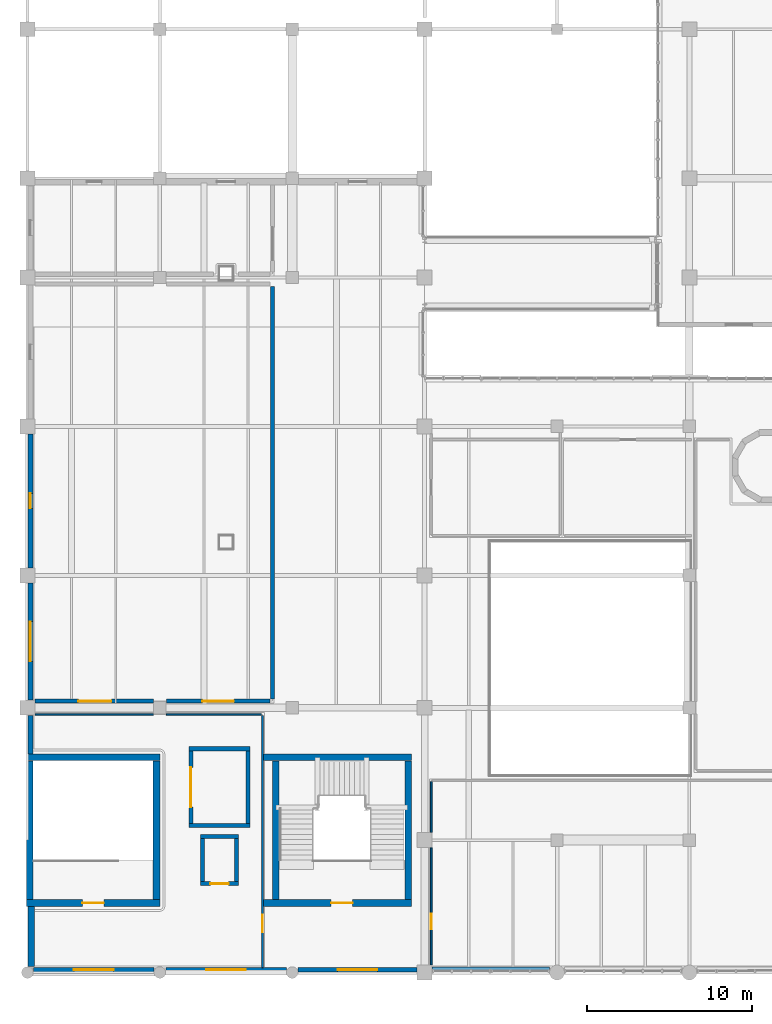
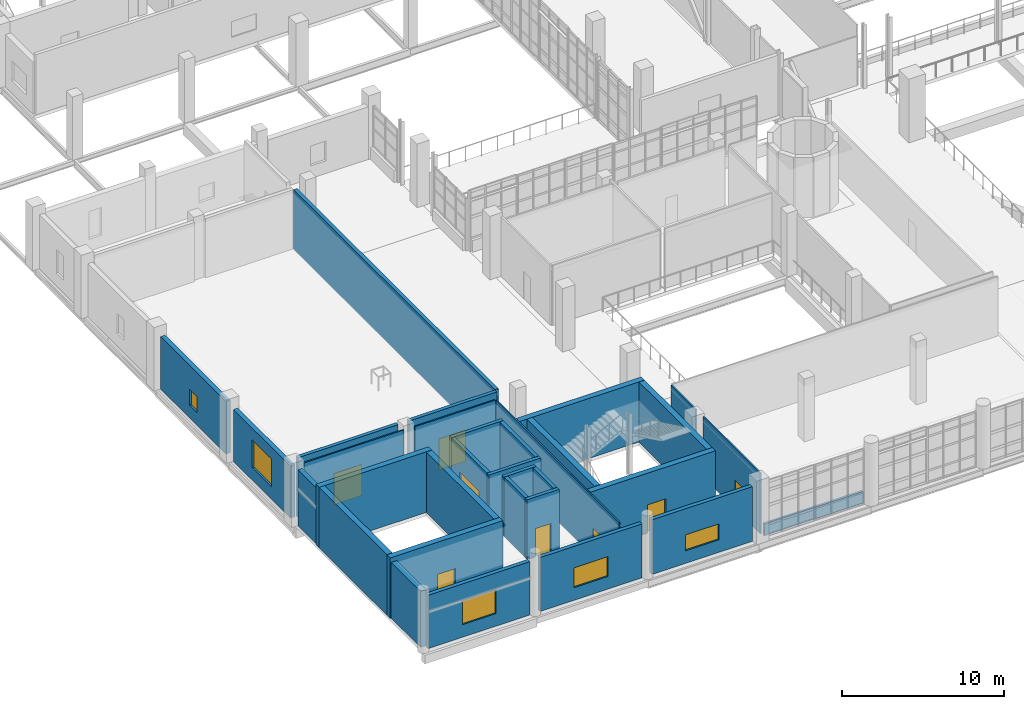
# One storey, part 85 of 100: 32 walls, 8 doors, 5 windows, 13 openings.
"""IFC4 building model written with IfcOpenShell, lengths in metres."""

from ifc_helpers import new_model, si_unit, derived_unit, direction, frame, frame_2d, origin, place, context, subcontext, project, spatial, rectangle, extrude, material, layer, layer_set, type_object, element, fill, save


model = new_model("IFC4")

# Units and contexts
model_context = context("Model", 3, precision=1e-05, world=origin(), true_north=direction((0.0, 1.0)))
body_context = subcontext(model_context, "Body", "Model", "MODEL_VIEW")
ifc_project = project(units=[si_unit("LENGTHUNIT", "METRE"), si_unit("AREAUNIT", "SQUARE_METRE"), si_unit("VOLUMEUNIT", "CUBIC_METRE"), si_unit("PLANEANGLEUNIT", "RADIAN"), si_unit("MASSUNIT", "GRAM", prefix="KILO"), derived_unit("THERMALTRANSMITTANCEUNIT", [(si_unit("POWERUNIT", "WATT"), 1), (si_unit("LENGTHUNIT", "METRE"), -2), (si_unit("THERMODYNAMICTEMPERATUREUNIT", "KELVIN"), -1)])], contexts=[model_context])

# Site, building, storey
site_placement = place(None, origin())
site = spatial("IfcSite", under=ifc_project, at=site_placement, CompositionType="ELEMENT")
building_placement = place(site_placement, origin())
building = spatial("IfcBuilding", under=site, at=building_placement, Name="Nallur Shell Playhouse", CompositionType="ELEMENT")
storey_placement = place(building_placement, frame((0.0, 0.0, 10.199951171875)))
storey = spatial("IfcBuildingStorey", under=building, at=storey_placement, Name="L03", CompositionType="ELEMENT", Elevation=10.199951171875)

# Wall, opening, door
ifc_material_1 = material(Name="Concrete M45", Category="concrete")
ifc_layer_1 = layer(ifc_material_1, 0.39990234375)
ifc_layer_set_1 = layer_set([ifc_layer_1], Name="Concrete M45")
wall_type_1 = type_object("IfcWallType", Name="WL-CORE-400", PredefinedType="SHEAR", material=ifc_layer_set_1)
wall_1_placement = place(storey_placement, frame((30.25390625, 12.199951171875, 0.0), z_axis=(0.0, 0.0, 1.0), x_axis=(1.0, 0.0, 0.0)))
wall_1 = element("IfcWall", 1, at=wall_1_placement, inside=storey, type_object=wall_type_1, Name="Joint Core JC-1 shear wall S (L03)", PredefinedType="SHEAR", context=body_context, shape_type="SweptSolid", body=[
    extrude(rectangle(XDim=8.946044921875, YDim=0.39990234375, at=frame_2d((4.47314453125, 0.0))), origin(), (0.0, 0.0, 1.0), 4.5400390625),
])
opening_1_placement = place(wall_1_placement, frame((4.095947265625, 0.0, 0.0)))
opening_1 = element("IfcOpeningElement", 2, at=opening_1_placement, cuts=wall_1, Name="Opening FD-ST2", PredefinedType="OPENING", context=body_context, shape_type="SweptSolid", body=[
    extrude(rectangle(XDim=1.300048828125, YDim=2.14990234375, at=frame_2d((0.64990234375, 1.074951171875))), frame((0.0, 0.2099609375, 0.0), z_axis=(0.0, -1.0, 0.0), x_axis=(1.0, 0.0, 0.0)), (0.0, 0.0, 1.0), 0.419921875),
])
ifc_material_2 = material(Name="Galvanised Steel Fire-Rated Stair Door", Category="steel")
door_type_1 = type_object("IfcDoorType", Name="DR-INT-STAIR-R", OperationType="SINGLE_SWING_RIGHT", PredefinedType="DOOR", material=ifc_material_2)
door_1_placement = place(opening_1_placement, origin())
door_1 = element("IfcDoor", 3, at=door_1_placement, inside=storey, type_object=door_type_1, Name="Exit stair ST-01 fire door (L03)", OperationType="SINGLE_SWING_RIGHT", OverallHeight=2.14990234375, OverallWidth=1.300048828125, PredefinedType="DOOR", context=body_context, shape_type="SweptSolid", body=[
    extrude(rectangle(XDim=1.300048828125, YDim=2.14990234375, at=frame_2d((0.64990234375, 1.074951171875))), frame((0.0, 0.02490234375, 0.0), z_axis=(0.0, -1.0, 0.0), x_axis=(1.0, 0.0, 0.0)), (0.0, 0.0, 1.0), 0.050048828125),
])
fill(opening_1, door_1)

# Walls
wall_2_placement = place(storey_placement, frame((39.199951171875, 21.0, 0.0), z_axis=(0.0, 0.0, 1.0), x_axis=(-1.0, 0.0, 0.0)))
element("IfcWall", 4, at=wall_2_placement, inside=storey, type_object=wall_type_1, Name="Joint Core JC-1 shear wall N (L03)", PredefinedType="SHEAR", context=body_context, shape_type="SweptSolid", body=[
    extrude(rectangle(XDim=8.946044921875, YDim=0.39990234375, at=frame_2d((4.47314453125, 0.0))), origin(), (0.0, 0.0, 1.0), 4.5400390625),
])
for number, where, z_axis, x_axis, name in (
    (5, (39.0, 12.409912109375, 0.0), (0.0, 0.0, 1.0), (0.0, 1.0, 0.0), "Joint Core JC-1 shear wall E (L03)"),
    (6, (31.0, 20.7900390625, 0.0), (0.0, 0.0, 1.0), (0.0, -1.0, 0.0), "Joint Core JC-1 shear wall W (L03)"),
):
    element("IfcWall", number, at=place(storey_placement, frame(where, z_axis=z_axis, x_axis=x_axis)), inside=storey, type_object=wall_type_1, Name=name, PredefinedType="SHEAR", context=body_context, shape_type="SweptSolid", body=[
        extrude(rectangle(XDim=8.380126953125, YDim=0.39990234375, at=frame_2d((4.18994140625, 0.0))), origin(), (0.0, 0.0, 1.0), 4.5400390625),
    ])

# Wall, opening, door
wall_3_placement = place(storey_placement, frame((15.949951171875, 12.199951171875, 0.0), z_axis=(0.0, 0.0, 1.0), x_axis=(1.0, 0.0, 0.0)))
wall_3 = element("IfcWall", 7, at=wall_3_placement, inside=storey, type_object=wall_type_1, Name="Joint Core JC-7 shear wall S (L03)", PredefinedType="SHEAR", context=body_context, shape_type="SweptSolid", body=[
    extrude(rectangle(XDim=8.050048828125, YDim=0.39990234375, at=frame_2d((4.02490234375, 0.0))), origin(), (0.0, 0.0, 1.0), 4.580078125),
])
opening_2_placement = place(wall_3_placement, frame((3.375, 0.0, 0.0)))
opening_2 = element("IfcOpeningElement", 8, at=opening_2_placement, cuts=wall_3, Name="Opening FD-ST1", PredefinedType="OPENING", context=body_context, shape_type="SweptSolid", body=[
    extrude(rectangle(XDim=1.300048828125, YDim=2.14990234375, at=frame_2d((0.64990234375, 1.074951171875))), frame((0.0, 0.2099609375, 0.0), z_axis=(0.0, -1.0, 0.0), x_axis=(1.0, 0.0, 0.0)), (0.0, 0.0, 1.0), 0.419921875),
])
door_type_2 = type_object("IfcDoorType", Name="DR-INT-STAIR-L", OperationType="SINGLE_SWING_LEFT", PredefinedType="DOOR", material=ifc_material_2)
door_2_placement = place(opening_2_placement, origin())
door_2 = element("IfcDoor", 9, at=door_2_placement, inside=storey, type_object=door_type_2, Name="Exit stair ST-07 fire door (L03)", OperationType="SINGLE_SWING_LEFT", OverallHeight=2.14990234375, OverallWidth=1.300048828125, PredefinedType="DOOR", context=body_context, shape_type="SweptSolid", body=[
    extrude(rectangle(XDim=1.300048828125, YDim=2.14990234375, at=frame_2d((0.64990234375, 1.074951171875))), frame((0.0, 0.02490234375, 0.0), z_axis=(0.0, -1.0, 0.0), x_axis=(1.0, 0.0, 0.0)), (0.0, 0.0, 1.0), 0.050048828125),
])
fill(opening_2, door_2)

# Walls
wall_4_placement = place(storey_placement, frame((24.0, 21.0, 0.0), z_axis=(0.0, 0.0, 1.0), x_axis=(-1.0, 0.0, 0.0)))
element("IfcWall", 10, at=wall_4_placement, inside=storey, type_object=wall_type_1, Name="Joint Core JC-7 shear wall N (L03)", PredefinedType="SHEAR", context=body_context, shape_type="SweptSolid", body=[
    extrude(rectangle(XDim=8.050048828125, YDim=0.39990234375, at=frame_2d((4.02490234375, 0.0))), origin(), (0.0, 0.0, 1.0), 4.580078125),
])
for number, where, z_axis, x_axis, name in (
    (11, (23.800048828125, 12.409912109375, 0.0), (0.0, 0.0, 1.0), (0.0, 1.0, 0.0), "Joint Core JC-7 shear wall E (L03)"),
    (12, (16.14990234375, 20.7900390625, 0.0), (0.0, 0.0, 1.0), (0.0, -1.0, 0.0), "Joint Core JC-7 shear wall W (L03)"),
):
    element("IfcWall", number, at=place(storey_placement, frame(where, z_axis=z_axis, x_axis=x_axis)), inside=storey, type_object=wall_type_1, Name=name, PredefinedType="SHEAR", context=body_context, shape_type="SweptSolid", body=[
        extrude(rectangle(XDim=8.380126953125, YDim=0.39990234375, at=frame_2d((4.18994140625, 0.0))), origin(), (0.0, 0.0, 1.0), 4.580078125),
    ])

# Wall, opening, window
ifc_material_3 = material(Name="Concrete M30", Category="concrete")
ifc_layer_2 = layer(ifc_material_3, 0.280029296875)
ifc_layer_set_2 = layer_set([ifc_layer_2], Name="Concrete M30")
wall_type_2 = type_object("IfcWallType", Name="WL-EXT-INS280", PredefinedType="STANDARD", material=ifc_layer_set_2)
wall_5_placement = place(storey_placement, frame((39.5419921875, 8.159912109375, 0.0), z_axis=(0.0, 0.0, 1.0), x_axis=(-1.0, 0.0, 0.0)))
wall_5 = element("IfcWall", 13, at=wall_5_placement, inside=storey, type_object=wall_type_2, Name="L03 exterior wall EW-L03-157", PredefinedType="STANDARD", context=body_context, shape_type="SweptSolid", body=[
    extrude(rectangle(XDim=7.18408203125, YDim=0.280029296875, at=frame_2d((3.592041015625, 0.0))), origin(), (0.0, 0.0, 1.0), 4.125),
])
opening_3_placement = place(wall_5_placement, frame((2.39208984375, 0.0, 0.949951171875)))
opening_3 = element("IfcOpeningElement", 14, at=opening_3_placement, cuts=wall_5, Name="Opening WN-29", PredefinedType="OPENING", context=body_context, shape_type="SweptSolid", body=[
    extrude(rectangle(XDim=2.39990234375, YDim=1.199951171875, at=frame_2d((1.199951171875, 0.60009765625))), frame((0.0, 0.14990234375, 0.0), z_axis=(0.0, -1.0, 0.0), x_axis=(1.0, 0.0, 0.0)), (0.0, 0.0, 1.0), 0.300048828125),
])
ifc_material_4 = material(Name="Thermally Broken Aluminium Acoustic Double-Glazed Window", Category="aluminium")
window_type_1 = type_object("IfcWindowType", Name="WN-TYPE-29", PartitioningType="SINGLE_PANEL", PredefinedType="SKYLIGHT", material=ifc_material_4)
window_1_placement = place(opening_3_placement, origin())
window_1 = element("IfcWindow", 15, at=window_1_placement, inside=storey, type_object=window_type_1, Name="L03 facade module window 061", OverallHeight=1.199951171875, OverallWidth=2.39990234375, PartitioningType="SINGLE_PANEL", PredefinedType="SKYLIGHT", context=body_context, shape_type="SweptSolid", body=[
    extrude(rectangle(XDim=2.39990234375, YDim=1.199951171875, at=frame_2d((1.199951171875, 0.60009765625))), frame((0.0, 0.030029296875, 0.0), z_axis=(0.0, -1.0, 0.0), x_axis=(1.0, 0.0, 0.0)), (0.0, 0.0, 1.0), 0.06005859375),
])
fill(opening_3, window_1)

wall_6_placement = place(storey_placement, frame((31.64208984375, 8.159912109375, 0.0), z_axis=(0.0, 0.0, 1.0), x_axis=(-1.0, 0.0, 0.0)))
wall_6 = element("IfcWall", 16, at=wall_6_placement, inside=storey, type_object=wall_type_2, Name="L03 exterior wall EW-L03-158", PredefinedType="STANDARD", context=body_context, shape_type="SweptSolid", body=[
    extrude(rectangle(XDim=7.2841796875, YDim=0.280029296875, at=frame_2d((3.64208984375, 0.0))), origin(), (0.0, 0.0, 1.0), 4.074951171875),
])
opening_4_placement = place(wall_6_placement, frame((2.44189453125, 0.0, 0.949951171875)))
opening_4 = element("IfcOpeningElement", 17, at=opening_4_placement, cuts=wall_6, Name="Opening WN-30", PredefinedType="OPENING", context=body_context, shape_type="SweptSolid", body=[
    extrude(rectangle(XDim=2.39990234375, YDim=1.5, at=frame_2d((1.199951171875, 0.75))), frame((0.0, 0.14990234375, 0.0), z_axis=(0.0, -1.0, 0.0), x_axis=(1.0, 0.0, 0.0)), (0.0, 0.0, 1.0), 0.300048828125),
])
window_type_2 = type_object("IfcWindowType", Name="WN-TYPE-30", PartitioningType="SINGLE_PANEL", PredefinedType="SKYLIGHT", material=ifc_material_4)
window_2_placement = place(opening_4_placement, origin())
window_2 = element("IfcWindow", 18, at=window_2_placement, inside=storey, type_object=window_type_2, Name="L03 facade module window 062", OverallHeight=1.5, OverallWidth=2.39990234375, PartitioningType="SINGLE_PANEL", PredefinedType="SKYLIGHT", context=body_context, shape_type="SweptSolid", body=[
    extrude(rectangle(XDim=2.39990234375, YDim=1.5, at=frame_2d((1.199951171875, 0.75))), frame((0.0, 0.030029296875, 0.0), z_axis=(0.0, -1.0, 0.0), x_axis=(1.0, 0.0, 0.0)), (0.0, 0.0, 1.0), 0.06005859375),
])
fill(opening_4, window_2)

wall_7_placement = place(storey_placement, frame((23.64208984375, 8.159912109375, 0.0), z_axis=(0.0, 0.0, 1.0), x_axis=(-1.0, 0.0, 0.0)))
wall_7 = element("IfcWall", 19, at=wall_7_placement, inside=storey, type_object=wall_type_2, Name="L03 exterior wall EW-L03-159", PredefinedType="STANDARD", context=body_context, shape_type="SweptSolid", body=[
    extrude(rectangle(XDim=7.2841796875, YDim=0.280029296875, at=frame_2d((3.64208984375, 0.0))), origin(), (0.0, 0.0, 1.0), 4.025146484375),
])
opening_5_placement = place(wall_7_placement, frame((2.44189453125, 0.0, 0.949951171875)))
opening_5 = element("IfcOpeningElement", 20, at=opening_5_placement, cuts=wall_7, Name="Opening WN-31", PredefinedType="OPENING", context=body_context, shape_type="SweptSolid", body=[
    extrude(rectangle(XDim=2.39990234375, YDim=1.800048828125, at=frame_2d((1.199951171875, 0.89990234375))), frame((0.0, 0.14990234375, 0.0), z_axis=(0.0, -1.0, 0.0), x_axis=(1.0, 0.0, 0.0)), (0.0, 0.0, 1.0), 0.300048828125),
])
window_type_3 = type_object("IfcWindowType", Name="WN-TYPE-31", PartitioningType="SINGLE_PANEL", PredefinedType="SKYLIGHT", material=ifc_material_4)
window_3_placement = place(opening_5_placement, origin())
window_3 = element("IfcWindow", 21, at=window_3_placement, inside=storey, type_object=window_type_3, Name="L03 facade module window 063", OverallHeight=1.800048828125, OverallWidth=2.39990234375, PartitioningType="SINGLE_PANEL", PredefinedType="SKYLIGHT", context=body_context, shape_type="SweptSolid", body=[
    extrude(rectangle(XDim=2.39990234375, YDim=1.800048828125, at=frame_2d((1.199951171875, 0.89990234375))), frame((0.0, 0.030029296875, 0.0), z_axis=(0.0, -1.0, 0.0), x_axis=(1.0, 0.0, 0.0)), (0.0, 0.0, 1.0), 0.06005859375),
])
fill(opening_5, window_3)

# Wall
ifc_material_5 = material(Name="Concrete M35", Category="concrete")
ifc_layer_3 = layer(ifc_material_5, 0.320068359375)
ifc_layer_set_3 = layer_set([ifc_layer_3], Name="Concrete M35")
wall_type_3 = type_object("IfcWallType", Name="WL-EXT-RC320", PredefinedType="STANDARD", material=ifc_layer_set_3)
wall_8_placement = place(storey_placement, frame((16.179931640625, 21.2041015625, 0.0), z_axis=(0.0, 0.0, 1.0), x_axis=(0.0, 1.0, 0.0)))
element("IfcWall", 22, at=wall_8_placement, inside=storey, type_object=wall_type_3, Name="L03 exterior wall EW-L03-161", PredefinedType="STANDARD", context=body_context, shape_type="SweptSolid", body=[
    extrude(rectangle(XDim=2.337890625, YDim=0.320068359375, at=frame_2d((1.1689453125, 0.0))), origin(), (0.0, 0.0, 1.0), 4.22509765625),
])

# Wall, opening, window
wall_9_placement = place(storey_placement, frame((16.179931640625, 24.4580078125, 0.0), z_axis=(0.0, 0.0, 1.0), x_axis=(0.0, 1.0, 0.0)))
wall_9 = element("IfcWall", 23, at=wall_9_placement, inside=storey, type_object=wall_type_3, Name="L03 exterior wall EW-L03-162", PredefinedType="STANDARD", context=body_context, shape_type="SweptSolid", body=[
    extrude(rectangle(XDim=7.083984375, YDim=0.320068359375, at=frame_2d((3.5419921875, 0.0))), origin(), (0.0, 0.0, 1.0), 3.925048828125),
])
opening_6_placement = place(wall_9_placement, frame((2.342041015625, 0.0, 0.949951171875)))
opening_6 = element("IfcOpeningElement", 24, at=opening_6_placement, cuts=wall_9, Name="Opening WN-32", PredefinedType="OPENING", context=body_context, shape_type="SweptSolid", body=[
    extrude(rectangle(XDim=2.39990234375, YDim=2.10009765625, at=frame_2d((1.199951171875, 1.050048828125))), frame((0.0, 0.169921875, 0.0), z_axis=(0.0, -1.0, 0.0), x_axis=(1.0, 0.0, 0.0)), (0.0, 0.0, 1.0), 0.340087890625),
])
window_type_4 = type_object("IfcWindowType", Name="WN-TYPE-32", PartitioningType="SINGLE_PANEL", PredefinedType="SKYLIGHT", material=ifc_material_4)
window_4_placement = place(opening_6_placement, origin())
window_4 = element("IfcWindow", 25, at=window_4_placement, inside=storey, type_object=window_type_4, Name="L03 facade module window 064", OverallHeight=2.10009765625, OverallWidth=2.39990234375, PartitioningType="SINGLE_PANEL", PredefinedType="SKYLIGHT", context=body_context, shape_type="SweptSolid", body=[
    extrude(rectangle(XDim=2.39990234375, YDim=2.10009765625, at=frame_2d((1.199951171875, 1.050048828125))), frame((0.0, 0.030029296875, 0.0), z_axis=(0.0, -1.0, 0.0), x_axis=(1.0, 0.0, 0.0)), (0.0, 0.0, 1.0), 0.06005859375),
])
fill(opening_6, window_4)

wall_10_placement = place(storey_placement, frame((16.179931640625, 32.4580078125, 0.0), z_axis=(0.0, 0.0, 1.0), x_axis=(0.0, 1.0, 0.0)))
wall_10 = element("IfcWall", 26, at=wall_10_placement, inside=storey, type_object=wall_type_3, Name="L03 exterior wall EW-L03-163", PredefinedType="STANDARD", context=body_context, shape_type="SweptSolid", body=[
    extrude(rectangle(XDim=8.083984375, YDim=0.320068359375, at=frame_2d((4.0419921875, 0.0))), origin(), (0.0, 0.0, 1.0), 3.97509765625),
])
opening_7_placement = place(wall_10_placement, frame((3.592041015625, 0.0, 0.949951171875)))
opening_7 = element("IfcOpeningElement", 27, at=opening_7_placement, cuts=wall_10, Name="Opening WN-01", PredefinedType="OPENING", context=body_context, shape_type="SweptSolid", body=[
    extrude(rectangle(XDim=0.89990234375, YDim=1.199951171875, at=frame_2d((0.449951171875, 0.60009765625))), frame((0.0, 0.169921875, 0.0), z_axis=(0.0, -1.0, 0.0), x_axis=(1.0, 0.0, 0.0)), (0.0, 0.0, 1.0), 0.340087890625),
])
window_type_5 = type_object("IfcWindowType", Name="WN-TYPE-01", PartitioningType="SINGLE_PANEL", PredefinedType="WINDOW", material=ifc_material_4)
window_5_placement = place(opening_7_placement, origin())
window_5 = element("IfcWindow", 28, at=window_5_placement, inside=storey, type_object=window_type_5, Name="L03 facade module window 065", OverallHeight=1.199951171875, OverallWidth=0.89990234375, PartitioningType="SINGLE_PANEL", PredefinedType="WINDOW", context=body_context, shape_type="SweptSolid", body=[
    extrude(rectangle(XDim=0.89990234375, YDim=1.199951171875, at=frame_2d((0.449951171875, 0.60009765625))), frame((0.0, 0.030029296875, 0.0), z_axis=(0.0, -1.0, 0.0), x_axis=(1.0, 0.0, 0.0)), (0.0, 0.0, 1.0), 0.06005859375),
])
fill(opening_7, window_5)

# Walls
ifc_material_6 = material(Name="Concrete M40", Category="concrete")
ifc_layer_4 = layer(ifc_material_6, 0.39990234375)
ifc_layer_set_4 = layer_set([ifc_layer_4], Name="Concrete M40")
wall_type_4 = type_object("IfcWallType", Name="WL-EXT-RC400", PredefinedType="STANDARD", material=ifc_layer_set_4)
wall_11_placement = place(storey_placement, frame((16.219970703125, 8.35791015625, 0.0), z_axis=(0.0, 0.0, 1.0), x_axis=(0.0, 1.0, 0.0)))
element("IfcWall", 29, at=wall_11_placement, inside=storey, type_object=wall_type_4, Name="L03 exterior wall EW-L03-160", PredefinedType="STANDARD", context=body_context, shape_type="SweptSolid", body=[
    extrude(rectangle(XDim=3.63818359375, YDim=0.39990234375, at=frame_2d((1.819091796875, 0.0))), origin(), (0.0, 0.0, 1.0), 4.22509765625),
])
ifc_layer_5 = layer(ifc_material_5, 0.179931640625)
ifc_layer_set_5 = layer_set([ifc_layer_5], Name="Concrete M35")
wall_type_5 = type_object("IfcWallType", Name="WL-PARAPET-180", PredefinedType="PARAPET", material=ifc_layer_set_5)
wall_12_placement = place(storey_placement, frame((47.5400390625, 8.239990234375, 0.0), z_axis=(0.0, 0.0, 1.0), x_axis=(-1.0, 0.0, 0.0)))
element("IfcWall", 30, at=wall_12_placement, inside=storey, type_object=wall_type_5, Name="L03 curtain-wall internal spandrel upstand 042", PredefinedType="PARAPET", context=body_context, shape_type="SweptSolid", body=[
    extrude(rectangle(XDim=7.080078125, YDim=0.179931640625, at=frame_2d((3.5400390625, 0.0))), origin(), (0.0, 0.0, 1.0), 0.880126953125),
])
ifc_layer_6 = layer(ifc_material_3, 0.25)
ifc_layer_set_6 = layer_set([ifc_layer_6], Name="Concrete M30")
wall_type_6 = type_object("IfcWallType", Name="WL-PART-AC250", PredefinedType="PARTITIONING", material=ifc_layer_set_6)
wall_13_placement = place(storey_placement, frame((30.800048828125, 49.455078125, 0.0), z_axis=(0.0, 0.0, 1.0), x_axis=(0.0, -1.0, 0.0)))
element("IfcWall", 31, at=wall_13_placement, inside=storey, type_object=wall_type_6, Name="200-Seat Flexible Black-Box Experimental Theatre partition IW-L03-0218", PredefinedType="PARTITIONING", context=body_context, shape_type="SweptSolid", body=[
    extrude(rectangle(XDim=24.91015625, YDim=0.25, at=frame_2d((12.455078125, 0.0))), origin(), (0.0, 0.0, 1.0), 4.530029296875),
])

# Wall, opening, door
wall_14_placement = place(storey_placement, frame((30.655029296875, 24.39990234375, 0.0), z_axis=(0.0, 0.0, 1.0), x_axis=(-1.0, 0.0, 0.0)))
wall_14 = element("IfcWall", 32, at=wall_14_placement, inside=storey, type_object=wall_type_6, Name="200-Seat Flexible Black-Box Experimental Theatre partition IW-L03-0219", PredefinedType="PARTITIONING", context=body_context, shape_type="SweptSolid", body=[
    extrude(rectangle(XDim=6.26513671875, YDim=0.25, at=frame_2d((3.132568359375, 0.0))), origin(), (0.0, 0.0, 1.0), 4.530029296875),
])
opening_8_placement = place(wall_14_placement, frame((2.18310546875, 0.0, 0.0)))
opening_8 = element("IfcOpeningElement", 33, at=opening_8_placement, cuts=wall_14, Name="Opening AD-02", PredefinedType="OPENING", context=body_context, shape_type="SweptSolid", body=[
    extrude(rectangle(XDim=1.89990234375, YDim=2.35009765625, at=frame_2d((0.949951171875, 1.175048828125))), frame((0.0, 0.135009765625, 0.0), z_axis=(0.0, -1.0, 0.0), x_axis=(1.0, 0.0, 0.0)), (0.0, 0.0, 1.0), 0.27001953125),
])
ifc_material_7 = material(Name="Acoustic Timber Sound-Lock Double Door", Category="wood")
door_type_3 = type_object("IfcDoorType", Name="DR-INT-AUD-DBR", OperationType="DOUBLE_SWING_RIGHT", PredefinedType="DOOR", material=ifc_material_7)
door_3_placement = place(opening_8_placement, origin())
door_3 = element("IfcDoor", 34, at=door_3_placement, inside=storey, type_object=door_type_3, Name="200-Seat Flexible Black-Box Experimental Theatre door 2", OperationType="DOUBLE_SWING_RIGHT", OverallHeight=2.35009765625, OverallWidth=1.89990234375, PredefinedType="DOOR", context=body_context, shape_type="SweptSolid", body=[
    extrude(rectangle(XDim=1.89990234375, YDim=2.35009765625, at=frame_2d((0.949951171875, 1.175048828125))), frame((0.0, 0.02490234375, 0.0), z_axis=(0.0, -1.0, 0.0), x_axis=(1.0, 0.0, 0.0)), (0.0, 0.0, 1.0), 0.050048828125),
])
fill(opening_8, door_3)

wall_15_placement = place(storey_placement, frame((23.610107421875, 24.39990234375, 0.0), z_axis=(0.0, 0.0, 1.0), x_axis=(-1.0, 0.0, 0.0)))
wall_15 = element("IfcWall", 35, at=wall_15_placement, inside=storey, type_object=wall_type_6, Name="200-Seat Flexible Black-Box Experimental Theatre partition IW-L03-0220", PredefinedType="PARTITIONING", context=body_context, shape_type="SweptSolid", body=[
    extrude(rectangle(XDim=7.156005859375, YDim=0.25, at=frame_2d((3.578125, 0.0))), origin(), (0.0, 0.0, 1.0), 4.530029296875),
])
opening_9_placement = place(wall_15_placement, frame((2.531982421875, 0.0, 0.0)))
opening_9 = element("IfcOpeningElement", 36, at=opening_9_placement, cuts=wall_15, Name="Opening AD-01", PredefinedType="OPENING", context=body_context, shape_type="SweptSolid", body=[
    extrude(rectangle(XDim=2.0, YDim=2.35009765625, at=frame_2d((1.0, 1.175048828125))), frame((0.0, 0.135009765625, 0.0), z_axis=(0.0, -1.0, 0.0), x_axis=(1.0, 0.0, 0.0)), (0.0, 0.0, 1.0), 0.27001953125),
])
door_type_4 = type_object("IfcDoorType", Name="DR-INT-AUD-DBL", OperationType="DOUBLE_SWING_LEFT", PredefinedType="DOOR", material=ifc_material_7)
door_4_placement = place(opening_9_placement, origin())
door_4 = element("IfcDoor", 37, at=door_4_placement, inside=storey, type_object=door_type_4, Name="200-Seat Flexible Black-Box Experimental Theatre door 1", OperationType="DOUBLE_SWING_LEFT", OverallHeight=2.35009765625, OverallWidth=2.0, PredefinedType="DOOR", context=body_context, shape_type="SweptSolid", body=[
    extrude(rectangle(XDim=2.0, YDim=2.35009765625, at=frame_2d((1.0, 1.175048828125))), frame((0.0, 0.02490234375, 0.0), z_axis=(0.0, -1.0, 0.0), x_axis=(1.0, 0.0, 0.0)), (0.0, 0.0, 1.0), 0.050048828125),
])
fill(opening_9, door_4)

ifc_material_8 = material(Name="Double-Layer Fire-Rated Gypsum Stud Partition")
ifc_layer_7 = layer(ifc_material_8, 0.10009765625)
ifc_layer_set_7 = layer_set([ifc_layer_7], Name="Double-Layer Fire-Rated Gypsum Stud Partition")
wall_type_7 = type_object("IfcWallType", Name="WL-PART-DRY100", PredefinedType="PARTITIONING", material=ifc_layer_set_7)
wall_16_placement = place(storey_placement, frame((40.39990234375, 8.469970703125, 0.0), z_axis=(0.0, 0.0, 1.0), x_axis=(0.0, 1.0, 0.0)))
wall_16 = element("IfcWall", 38, at=wall_16_placement, inside=storey, type_object=wall_type_7, Name="Monsoon Atrium Dress Circle Gallery partition IW-L03-0232", PredefinedType="PARTITIONING", context=body_context, shape_type="SweptSolid", body=[
    extrude(rectangle(XDim=7.06494140625, YDim=0.10009765625, at=frame_2d((3.532470703125, 0.0))), origin(), (0.0, 0.0, 1.0), 4.570068359375),
])
opening_10_placement = place(wall_16_placement, frame((2.139892578125, 0.0, 0.0)))
opening_10 = element("IfcOpeningElement", 39, at=opening_10_placement, cuts=wall_16, Name="Opening ID-03", PredefinedType="OPENING", context=body_context, shape_type="SweptSolid", body=[
    extrude(rectangle(XDim=0.949951171875, YDim=2.14990234375, at=frame_2d((0.47509765625, 1.074951171875))), frame((0.0, 0.06005859375, 0.0), z_axis=(0.0, -1.0, 0.0), x_axis=(1.0, 0.0, 0.0)), (0.0, 0.0, 1.0), 0.1201171875),
])
ifc_material_9 = material(Name="Solid-Core Engineered Timber Door", Category="wood")
door_type_5 = type_object("IfcDoorType", Name="DR-INT-SGL950L", OperationType="SINGLE_SWING_LEFT", PredefinedType="DOOR", material=ifc_material_9)
door_5_placement = place(opening_10_placement, origin())
door_5 = element("IfcDoor", 40, at=door_5_placement, inside=storey, type_object=door_type_5, Name="Monsoon Atrium Dress Circle Gallery door 1", OperationType="SINGLE_SWING_LEFT", OverallHeight=2.14990234375, OverallWidth=0.949951171875, PredefinedType="DOOR", context=body_context, shape_type="SweptSolid", body=[
    extrude(rectangle(XDim=0.949951171875, YDim=2.14990234375, at=frame_2d((0.47509765625, 1.074951171875))), frame((0.0, 0.02490234375, 0.0), z_axis=(0.0, -1.0, 0.0), x_axis=(1.0, 0.0, 0.0)), (0.0, 0.0, 1.0), 0.050048828125),
])
fill(opening_10, door_5)

# Wall
wall_17_placement = place(storey_placement, frame((40.39990234375, 16.465087890625, 0.0), z_axis=(0.0, 0.0, 1.0), x_axis=(0.0, 1.0, 0.0)))
element("IfcWall", 41, at=wall_17_placement, inside=storey, type_object=wall_type_7, Name="Monsoon Atrium Dress Circle Gallery partition IW-L03-0233", PredefinedType="PARTITIONING", context=body_context, shape_type="SweptSolid", body=[
    extrude(rectangle(XDim=3.06494140625, YDim=0.10009765625, at=frame_2d((1.532470703125, 0.0))), origin(), (0.0, 0.0, 1.0), 4.530029296875),
])

# Wall, opening, door
wall_18_placement = place(storey_placement, frame((30.199951171875, 23.530029296875, 0.0), z_axis=(0.0, 0.0, 1.0), x_axis=(0.0, -1.0, 0.0)))
wall_18 = element("IfcWall", 42, at=wall_18_placement, inside=storey, type_object=wall_type_7, Name="Patron & Civic Hospitality Salon partition IW-L03-0240", PredefinedType="PARTITIONING", context=body_context, shape_type="SweptSolid", body=[
    extrude(rectangle(XDim=15.22607421875, YDim=0.10009765625, at=frame_2d((7.613037109375, 0.0))), origin(), (0.0, 0.0, 1.0), 4.530029296875),
])
opening_11_placement = place(wall_18_placement, frame((12.049072265625, 0.0, 0.0)))
opening_11 = element("IfcOpeningElement", 43, at=opening_11_placement, cuts=wall_18, Name="Opening ID-01", PredefinedType="OPENING", context=body_context, shape_type="SweptSolid", body=[
    extrude(rectangle(XDim=1.050048828125, YDim=2.14990234375, at=frame_2d((0.52490234375, 1.074951171875))), frame((0.0, 0.06005859375, 0.0), z_axis=(0.0, -1.0, 0.0), x_axis=(1.0, 0.0, 0.0)), (0.0, 0.0, 1.0), 0.1201171875),
])
ifc_material_10 = material(Name="Solid-Core Engineered Timber Fire Door", Category="wood")
door_type_6 = type_object("IfcDoorType", Name="DR-INT-SGL1050L", OperationType="SINGLE_SWING_LEFT", PredefinedType="DOOR", material=ifc_material_10)
door_6_placement = place(opening_11_placement, origin())
door_6 = element("IfcDoor", 44, at=door_6_placement, inside=storey, type_object=door_type_6, Name="Patron & Civic Hospitality Salon door 1", OperationType="SINGLE_SWING_LEFT", OverallHeight=2.14990234375, OverallWidth=1.050048828125, PredefinedType="DOOR", context=body_context, shape_type="SweptSolid", body=[
    extrude(rectangle(XDim=1.050048828125, YDim=2.14990234375, at=frame_2d((0.52490234375, 1.074951171875))), frame((0.0, 0.02490234375, 0.0), z_axis=(0.0, -1.0, 0.0), x_axis=(1.0, 0.0, 0.0)), (0.0, 0.0, 1.0), 0.050048828125),
])
fill(opening_11, door_6)

# Walls
wall_19_placement = place(storey_placement, frame((16.469970703125, 23.60009765625, 0.0), z_axis=(0.0, 0.0, 1.0), x_axis=(1.0, 0.0, 0.0)))
element("IfcWall", 45, at=wall_19_placement, inside=storey, type_object=wall_type_7, Name="Patron & Civic Hospitality Salon partition IW-L03-0241", PredefinedType="PARTITIONING", context=body_context, shape_type="SweptSolid", body=[
    extrude(rectangle(XDim=7.14013671875, YDim=0.10009765625, at=frame_2d((3.570068359375, 0.0))), origin(), (0.0, 0.0, 1.0), 4.570068359375),
])
wall_20_placement = place(storey_placement, frame((24.389892578125, 23.60009765625, 0.0), z_axis=(0.0, 0.0, 1.0), x_axis=(1.0, 0.0, 0.0)))
element("IfcWall", 46, at=wall_20_placement, inside=storey, type_object=wall_type_7, Name="Patron & Civic Hospitality Salon partition IW-L03-0242", PredefinedType="PARTITIONING", context=body_context, shape_type="SweptSolid", body=[
    extrude(rectangle(XDim=5.739990234375, YDim=0.10009765625, at=frame_2d((2.8701171875, 0.0))), origin(), (0.0, 0.0, 1.0), 4.530029296875),
])

# Wall, opening, door
ifc_layer_8 = layer(ifc_material_1, 0.25)
ifc_layer_set_8 = layer_set([ifc_layer_8], Name="Concrete M45")
wall_type_8 = type_object("IfcWallType", Name="WL-SHAFT-250", PredefinedType="STANDARD", material=ifc_layer_set_8)
wall_21_placement = place(storey_placement, frame((26.449951171875, 13.375, 0.0), z_axis=(0.0, 0.0, 1.0), x_axis=(1.0, 0.0, 0.0)))
wall_21 = element("IfcWall", 47, at=wall_21_placement, inside=storey, type_object=wall_type_8, Name="Passenger Lift PL-1 shaft wall south (L03)", PredefinedType="STANDARD", context=body_context, shape_type="SweptSolid", body=[
    extrude(rectangle(XDim=2.300048828125, YDim=0.25, at=frame_2d((1.14990234375, 0.0))), origin(), (0.0, 0.0, 1.0), 4.530029296875),
])
opening_12_placement = place(wall_21_placement, frame((0.60009765625, 0.0, 0.0)))
opening_12 = element("IfcOpeningElement", 48, at=opening_12_placement, cuts=wall_21, Name="Opening LD-P1", PredefinedType="OPENING", context=body_context, shape_type="SweptSolid", body=[
    extrude(rectangle(XDim=1.10009765625, YDim=2.14990234375, at=frame_2d((0.550048828125, 1.074951171875))), frame((0.0, 0.135009765625, 0.0), z_axis=(0.0, -1.0, 0.0), x_axis=(1.0, 0.0, 0.0)), (0.0, 0.0, 1.0), 0.27001953125),
])
ifc_material_11 = material(Name="Brushed Stainless Steel Lift Landing Door", Category="steel")
door_type_7 = type_object("IfcDoorType", Name="DR-LIFT-PASS", OperationType="DOUBLE_DOOR_SLIDING", PredefinedType="DOOR", material=ifc_material_11)
door_7_placement = place(opening_12_placement, origin())
door_7 = element("IfcDoor", 49, at=door_7_placement, inside=storey, type_object=door_type_7, Name="Passenger Lift PL-1 sliding landing door (L03)", OperationType="DOUBLE_DOOR_SLIDING", OverallHeight=2.14990234375, OverallWidth=1.10009765625, PredefinedType="DOOR", context=body_context, shape_type="SweptSolid", body=[
    extrude(rectangle(XDim=1.10009765625, YDim=2.14990234375, at=frame_2d((0.550048828125, 1.074951171875))), frame((0.0, 0.02490234375, 0.0), z_axis=(0.0, -1.0, 0.0), x_axis=(1.0, 0.0, 0.0)), (0.0, 0.0, 1.0), 0.050048828125),
])
fill(opening_12, door_7)

# Walls
wall_22_placement = place(storey_placement, frame((28.75, 16.22509765625, 0.0), z_axis=(0.0, 0.0, 1.0), x_axis=(-1.0, 0.0, 0.0)))
element("IfcWall", 50, at=wall_22_placement, inside=storey, type_object=wall_type_8, Name="Passenger Lift PL-1 shaft wall north (L03)", PredefinedType="STANDARD", context=body_context, shape_type="SweptSolid", body=[
    extrude(rectangle(XDim=2.300048828125, YDim=0.25, at=frame_2d((1.14990234375, 0.0))), origin(), (0.0, 0.0, 1.0), 4.530029296875),
])
for number, where, z_axis, x_axis, name in (
    (51, (28.625, 13.510009765625, 0.0), (0.0, 0.0, 1.0), (0.0, 1.0, 0.0), "Passenger Lift PL-1 shaft wall east (L03)"),
    (52, (26.574951171875, 16.090087890625, 0.0), (0.0, 0.0, 1.0), (0.0, -1.0, 0.0), "Passenger Lift PL-1 shaft wall west (L03)"),
):
    element("IfcWall", number, at=place(storey_placement, frame(where, z_axis=z_axis, x_axis=x_axis)), inside=storey, type_object=wall_type_8, Name=name, PredefinedType="STANDARD", context=body_context, shape_type="SweptSolid", body=[
        extrude(rectangle(XDim=2.580078125, YDim=0.25, at=frame_2d((1.2900390625, 0.0))), origin(), (0.0, 0.0, 1.0), 4.530029296875),
    ])
for number, where, z_axis, x_axis, name in (
    (53, (25.75, 16.875, 0.0), (0.0, 0.0, 1.0), (1.0, 0.0, 0.0), "Scenery Freight Lift SL-1 shaft wall south (L03)"),
    (54, (29.449951171875, 21.52490234375, 0.0), (0.0, 0.0, 1.0), (-1.0, 0.0, 0.0), "Scenery Freight Lift SL-1 shaft wall north (L03)"),
):
    element("IfcWall", number, at=place(storey_placement, frame(where, z_axis=z_axis, x_axis=x_axis)), inside=storey, type_object=wall_type_8, Name=name, PredefinedType="STANDARD", context=body_context, shape_type="SweptSolid", body=[
        extrude(rectangle(XDim=3.699951171875, YDim=0.25, at=frame_2d((1.85009765625, 0.0))), origin(), (0.0, 0.0, 1.0), 4.530029296875),
    ])
wall_23_placement = place(storey_placement, frame((29.324951171875, 17.010009765625, 0.0), z_axis=(0.0, 0.0, 1.0), x_axis=(0.0, 1.0, 0.0)))
element("IfcWall", 55, at=wall_23_placement, inside=storey, type_object=wall_type_8, Name="Scenery Freight Lift SL-1 shaft wall east (L03)", PredefinedType="STANDARD", context=body_context, shape_type="SweptSolid", body=[
    extrude(rectangle(XDim=4.3798828125, YDim=0.25, at=frame_2d((2.18994140625, 0.0))), origin(), (0.0, 0.0, 1.0), 4.530029296875),
])

# Wall, opening, door
wall_24_placement = place(storey_placement, frame((25.875, 21.389892578125, 0.0), z_axis=(0.0, 0.0, 1.0), x_axis=(0.0, -1.0, 0.0)))
wall_24 = element("IfcWall", 56, at=wall_24_placement, inside=storey, type_object=wall_type_8, Name="Scenery Freight Lift SL-1 shaft wall west (L03)", PredefinedType="STANDARD", context=body_context, shape_type="SweptSolid", body=[
    extrude(rectangle(XDim=4.3798828125, YDim=0.25, at=frame_2d((2.18994140625, 0.0))), origin(), (0.0, 0.0, 1.0), 4.530029296875),
])
opening_13_placement = place(wall_24_placement, frame((0.989990234375, 0.0, 0.0)))
opening_13 = element("IfcOpeningElement", 57, at=opening_13_placement, cuts=wall_24, Name="Opening LD-S1", PredefinedType="OPENING", context=body_context, shape_type="SweptSolid", body=[
    extrude(rectangle(XDim=2.39990234375, YDim=2.550048828125, at=frame_2d((1.199951171875, 1.27490234375))), frame((0.0, 0.135009765625, 0.0), z_axis=(0.0, -1.0, 0.0), x_axis=(1.0, 0.0, 0.0)), (0.0, 0.0, 1.0), 0.27001953125),
])
ifc_material_12 = material(Name="Scenery Freight Lift Bi-Parting Landing Door")
door_type_8 = type_object("IfcDoorType", Name="DR-LIFT-SCEN", OperationType="DOUBLE_DOOR_SLIDING", PredefinedType="DOOR", material=ifc_material_12)
door_8_placement = place(opening_13_placement, origin())
door_8 = element("IfcDoor", 58, at=door_8_placement, inside=storey, type_object=door_type_8, Name="Scenery Freight Lift SL-1 sliding landing door (L03)", OperationType="DOUBLE_DOOR_SLIDING", OverallHeight=2.550048828125, OverallWidth=2.39990234375, PredefinedType="DOOR", context=body_context, shape_type="SweptSolid", body=[
    extrude(rectangle(XDim=2.39990234375, YDim=2.550048828125, at=frame_2d((1.199951171875, 1.27490234375))), frame((0.0, 0.02490234375, 0.0), z_axis=(0.0, -1.0, 0.0), x_axis=(1.0, 0.0, 0.0)), (0.0, 0.0, 1.0), 0.050048828125),
])
fill(opening_13, door_8)

save(model, "model.ifc")
